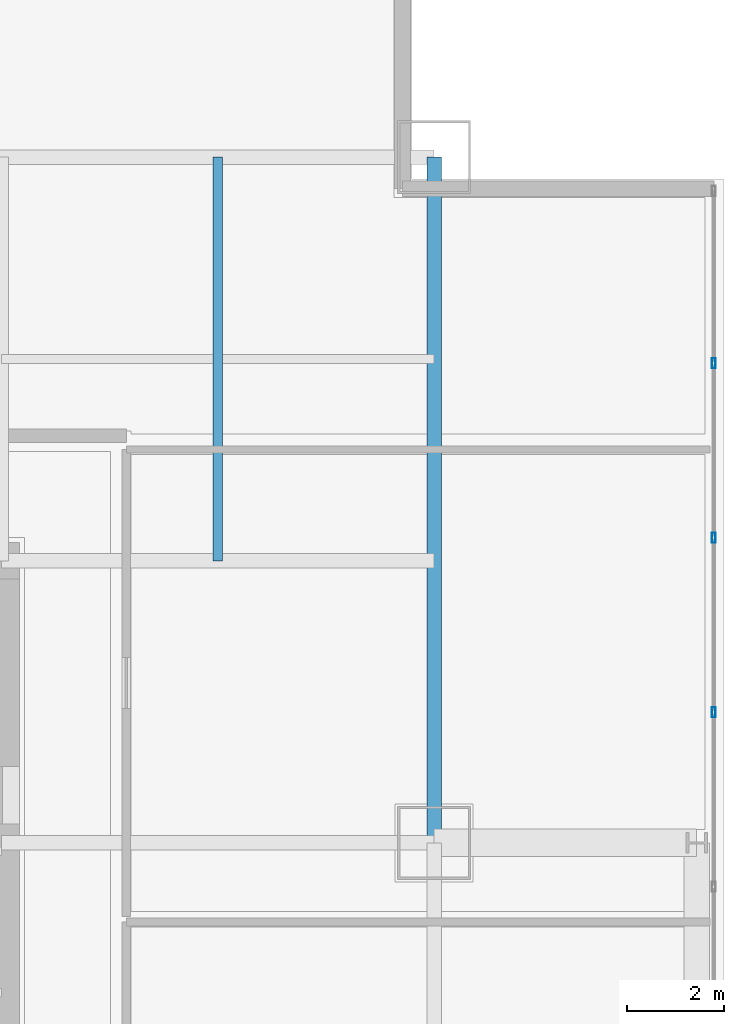
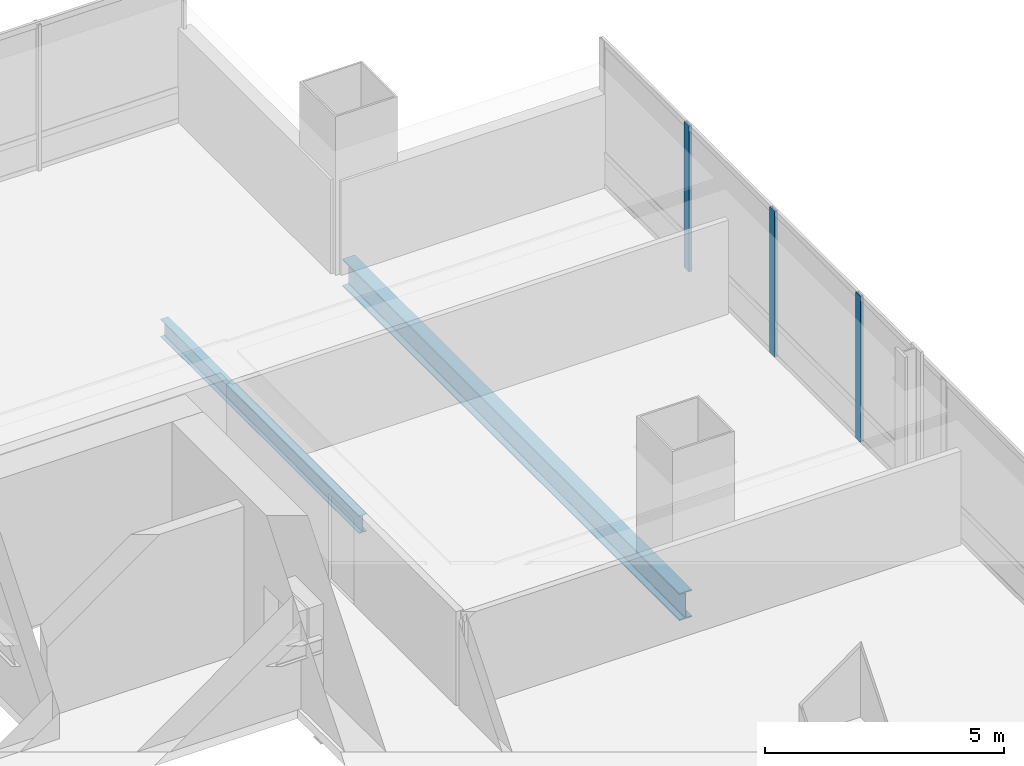
# One storey, part 19 of 33: 3 members, 2 beams, 1 element without a shape of its own.
"""IFC4 building model written with IfcOpenShell, lengths in metres."""

from ifc_helpers import new_model, si_unit, direction, frame, origin, origin_2d, place, context, subcontext, project, spatial, hollow_rectangle, i_section, extrude, material, material_profile, profile_set, type_object, element, aggregate, save


model = new_model("IFC4")

# Units and contexts
model_context = context("Model", 3, precision=1e-05, world=origin(), true_north=direction((0.0, 1.0)))
body_context = subcontext(model_context, "Body", "Model", "MODEL_VIEW")
ifc_project = project(units=[si_unit("LENGTHUNIT", "METRE"), si_unit("AREAUNIT", "SQUARE_METRE"), si_unit("VOLUMEUNIT", "CUBIC_METRE"), si_unit("PLANEANGLEUNIT", "RADIAN"), si_unit("MASSUNIT", "GRAM", prefix="KILO")], contexts=[model_context])

# Site, building, storey
site_placement = place(None, origin())
site = spatial("IfcSite", under=ifc_project, at=site_placement, CompositionType="ELEMENT")
building_placement = place(site_placement, origin())
building = spatial("IfcBuilding", under=site, at=building_placement, Name="Punatoya Terracotta Tower", CompositionType="ELEMENT")
storey_placement = place(building_placement, frame((0.0, 0.0, 121.35009765625)))
storey = spatial("IfcBuildingStorey", under=building, at=storey_placement, Name="L28", CompositionType="ELEMENT", Elevation=121.35009765625)

# Beams
ifc_material_1 = material(Name="Steel S355", Category="steel")
ifc_material_profile_1 = material_profile(ifc_material_1, i_section(OverallWidth=0.300048828125, OverallDepth=0.699951171875, WebThickness=0.01708984375, FlangeThickness=0.031982421875, FilletRadius=0.01806640625, at=origin_2d()))
ifc_profile_set_1 = profile_set([ifc_material_profile_1], Name="Steel S355")
beam_type_1 = type_object("IfcBeamType", Name="BM-PRI-700", PredefinedType="BEAM", material=ifc_profile_set_1)
beam_1_placement = place(storey_placement, frame((19.10009765625, 3.39990234375, -0.590087890625), z_axis=(0.0, 1.0, 0.0), x_axis=(-1.0, 0.0, 0.0)))
element("IfcBeam", 1, at=beam_1_placement, inside=storey, type_object=beam_type_1, Name="BM-L28-RG-E3", PredefinedType="BEAM", context=body_context, shape_type="SweptSolid", body=[
    extrude(i_section(OverallWidth=0.300048828125, OverallDepth=0.699951171875, WebThickness=0.01708984375, FlangeThickness=0.031982421875, FilletRadius=0.01806640625, at=origin_2d()), origin(), (0.0, 0.0, 1.0), 14.10009765625),
])
ifc_material_profile_2 = material_profile(ifc_material_1, i_section(OverallWidth=0.18994140625, OverallDepth=0.449951171875, WebThickness=0.009521484375, FlangeThickness=0.0146484375, FilletRadius=0.01806640625, at=origin_2d()))
ifc_profile_set_2 = profile_set([ifc_material_profile_2], Name="Steel S355")
beam_type_2 = type_object("IfcBeamType", Name="BM-SEC-450", PredefinedType="JOIST", material=ifc_profile_set_2)
beam_2_placement = place(storey_placement, frame((14.64990234375, 9.199951171875, -0.465087890625), z_axis=(0.0, 1.0, 0.0), x_axis=(-1.0, 0.0, 0.0)))
element("IfcBeam", 2, at=beam_2_placement, inside=storey, type_object=beam_type_2, Name="BM-L28-SJE-2", PredefinedType="JOIST", context=body_context, shape_type="SweptSolid", body=[
    extrude(i_section(OverallWidth=0.18994140625, OverallDepth=0.449951171875, WebThickness=0.009521484375, FlangeThickness=0.0146484375, FilletRadius=0.01806640625, at=origin_2d()), origin(), (0.0, 0.0, 1.0), 8.300048828125),
])

# Curtain wall, members
ifc_material_2 = material(Name="Aluminium 6063-T6 + Double Low-E Glass", Category="aluminium")
curtain_wall_type = type_object("IfcCurtainWallType", Name="CW-M1", PredefinedType="NOTDEFINED", material=ifc_material_2)
curtain_wall_placement = place(storey_placement, origin())
curtain_wall = element("IfcCurtainWall", 3, at=curtain_wall_placement, inside=storey, type_object=curtain_wall_type, Name="L28 Curtain Wall CW-L28-E05-1", PredefinedType="NOTDEFINED")
ifc_material_3 = material(Name="Aluminium 6063-T6", Category="aluminium")
ifc_material_profile_3 = material_profile(ifc_material_3, hollow_rectangle(XDim=0.074951171875, YDim=0.2099609375, WallThickness=0.00439453125, at=origin_2d()))
ifc_profile_set_3 = profile_set([ifc_material_profile_3], Name="Aluminium 6063-T6")
member_type = type_object("IfcMemberType", Name="CW-MUL-M1", PredefinedType="MULLION", material=ifc_profile_set_3)
member_1_placement = place(storey_placement, frame((24.85009765625, 6.087646484375, 0.0), z_axis=(0.0, 0.0, 1.0), x_axis=(1.0, 0.0, 0.0)))
member_1 = element("IfcMember", 4, at=member_1_placement, type_object=member_type, Name="CW-L28-E05-1 Mullion 06", PredefinedType="MULLION", context=body_context, shape_type="SweptSolid", body=[
    extrude(hollow_rectangle(XDim=0.074951171875, YDim=0.2099609375, WallThickness=0.00439453125, at=origin_2d()), origin(), (0.0, 0.0, 1.0), 3.72998046875),
])
member_2_placement = place(storey_placement, frame((24.85009765625, 9.675048828125, 0.0), z_axis=(0.0, 0.0, 1.0), x_axis=(1.0, 0.0, 0.0)))
member_2 = element("IfcMember", 5, at=member_2_placement, type_object=member_type, Name="CW-L28-E05-1 Mullion 07", PredefinedType="MULLION", context=body_context, shape_type="SweptSolid", body=[
    extrude(hollow_rectangle(XDim=0.074951171875, YDim=0.2099609375, WallThickness=0.00439453125, at=origin_2d()), origin(), (0.0, 0.0, 1.0), 3.72998046875),
])
member_3_placement = place(storey_placement, frame((24.85009765625, 13.2626953125, 0.0), z_axis=(0.0, 0.0, 1.0), x_axis=(1.0, 0.0, 0.0)))
member_3 = element("IfcMember", 6, at=member_3_placement, type_object=member_type, Name="CW-L28-E05-1 Mullion 08", PredefinedType="MULLION", context=body_context, shape_type="SweptSolid", body=[
    extrude(hollow_rectangle(XDim=0.074951171875, YDim=0.2099609375, WallThickness=0.00439453125, at=origin_2d()), origin(), (0.0, 0.0, 1.0), 3.72998046875),
])
aggregate(curtain_wall, [member_1, member_2, member_3])

save(model, "model.ifc")
